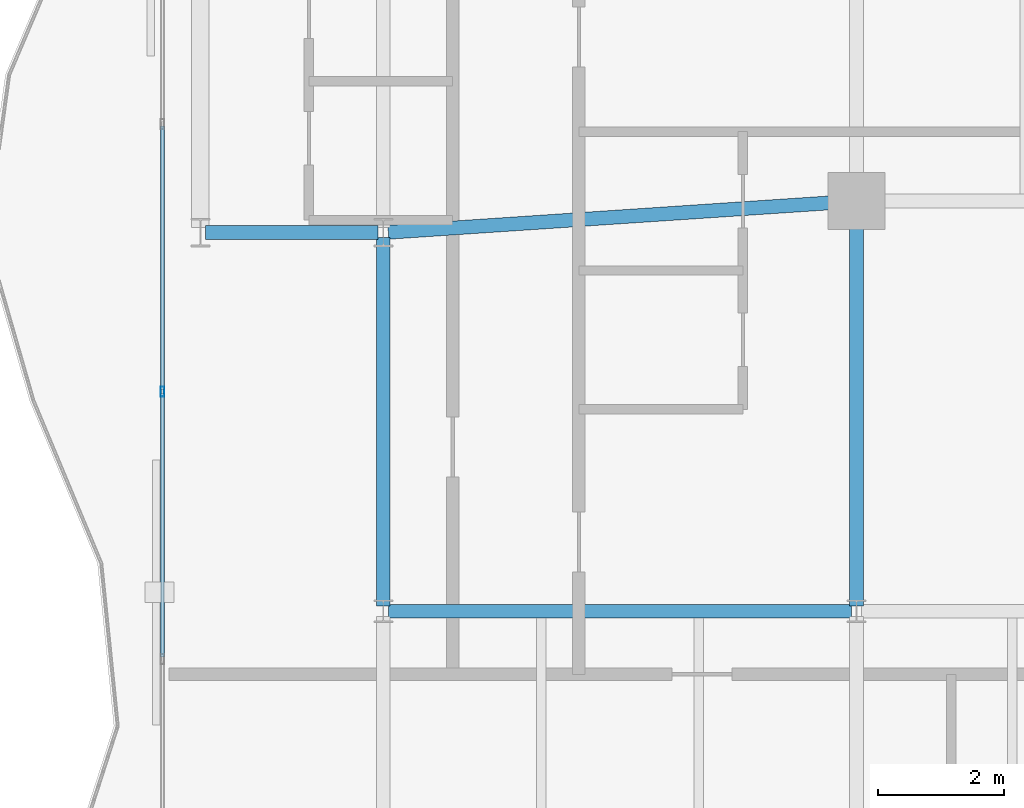
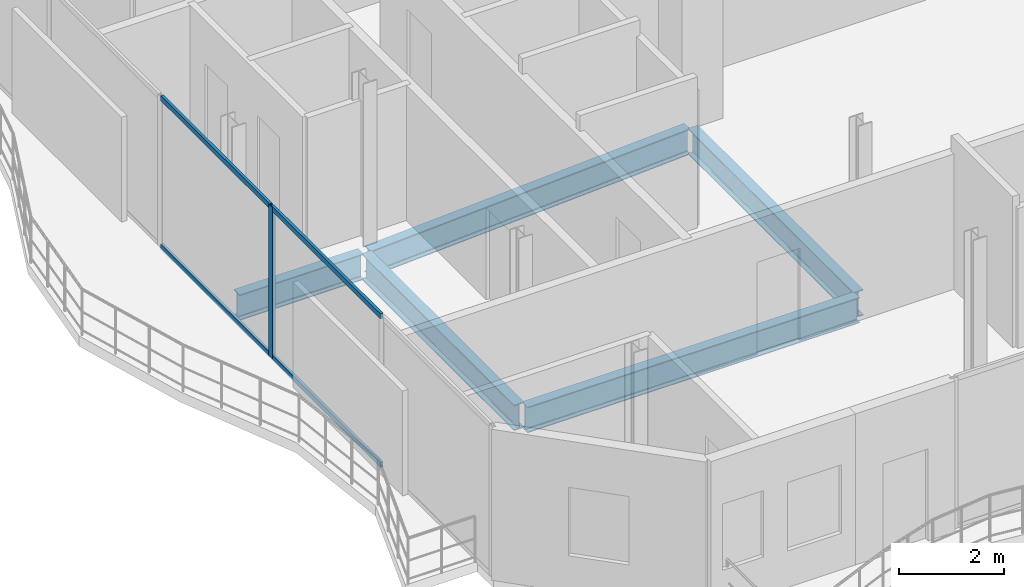
# One storey, part 6 of 23: 5 beams, 5 members, 1 element without a shape of its own.
"""IFC4 building model written with IfcOpenShell, lengths in metres."""

from ifc_helpers import new_model, si_unit, direction, frame, origin, origin_2d, place, context, subcontext, project, spatial, hollow_rectangle, i_section, extrude, material, layer, layer_set, material_profile, profile_set, type_object, element, aggregate, save


model = new_model("IFC4")

# Units and contexts
model_context = context("Model", 3, precision=1e-05, world=origin(), true_north=direction((0.0, 1.0)))
body_context = subcontext(model_context, "Body", "Model", "MODEL_VIEW")
ifc_project = project(units=[si_unit("LENGTHUNIT", "METRE"), si_unit("AREAUNIT", "SQUARE_METRE"), si_unit("VOLUMEUNIT", "CUBIC_METRE"), si_unit("PLANEANGLEUNIT", "RADIAN"), si_unit("MASSUNIT", "GRAM", prefix="KILO")], contexts=[model_context])

# Site, building, storey
site_placement = place(None, origin())
site = spatial("IfcSite", under=ifc_project, at=site_placement, CompositionType="ELEMENT")
building_placement = place(site_placement, origin())
building = spatial("IfcBuilding", under=site, at=building_placement, Name="Catumbela Crestline Tower", CompositionType="ELEMENT")
storey_placement = place(building_placement, frame((0.0, 0.0, 241.2)))
storey = spatial("IfcBuildingStorey", under=building, at=storey_placement, Name="L62", CompositionType="ELEMENT", Elevation=241.2)

# Beams
ifc_material_1 = material(Name="Structural steel S355J2", Category="steel")
ifc_material_profile_1 = material_profile(ifc_material_1, i_section(OverallWidth=0.22, OverallDepth=0.6, WebThickness=0.012, FlangeThickness=0.019, FilletRadius=0.024, at=origin_2d()), Name="IPE 600")
ifc_profile_set_1 = profile_set([ifc_material_profile_1], Name="Structural steel S355J2")
beam_type = type_object("IfcBeamType", Name="BG-IPE600", PredefinedType="BEAM", material=ifc_profile_set_1)
beam_1_placement = place(storey_placement, frame((5.68, 24.0, -0.56), z_axis=(1.0, 0.0, 0.0), x_axis=(0.0, 1.0, 0.0)))
element("IfcBeam", 1, at=beam_1_placement, inside=storey, type_object=beam_type, Name="L62 Beam BM-L62-S01", PredefinedType="BEAM", context=body_context, shape_type="SweptSolid", body=[
    extrude(i_section(OverallWidth=0.22, OverallDepth=0.6, WebThickness=0.012, FlangeThickness=0.019, FilletRadius=0.024, at=origin_2d()), origin(), (0.0, 0.0, 1.0), 2.74),
])
beam_2_placement = place(storey_placement, frame((8.5798, 24.0053, -0.56), z_axis=(0.997784796964, 0.066524423687, 0.0), x_axis=(-0.066524423687, 0.997784796964, 0.0)))
element("IfcBeam", 2, at=beam_2_placement, inside=storey, type_object=beam_type, Name="L62 Beam BM-L62-S02", PredefinedType="BEAM", context=body_context, shape_type="SweptSolid", body=[
    extrude(i_section(OverallWidth=0.22, OverallDepth=0.6, WebThickness=0.012, FlangeThickness=0.019, FilletRadius=0.024, at=origin_2d()), origin(), (0.0, 0.0, 1.0), 7.3567),
])
beam_3_placement = place(storey_placement, frame((8.58, 18.0, -0.56), z_axis=(1.0, 0.0, 0.0), x_axis=(0.0, 1.0, 0.0)))
element("IfcBeam", 3, at=beam_3_placement, inside=storey, type_object=beam_type, Name="L62 Beam BM-L62-WEW29", PredefinedType="BEAM", context=body_context, shape_type="SweptSolid", body=[
    extrude(i_section(OverallWidth=0.22, OverallDepth=0.6, WebThickness=0.012, FlangeThickness=0.019, FilletRadius=0.024, at=origin_2d()), origin(), (0.0, 0.0, 1.0), 7.34),
])
beam_4_placement = place(storey_placement, frame((8.5, 18.08, -0.56), z_axis=(0.0, 1.0, 0.0), x_axis=(-1.0, 0.0, 0.0)))
element("IfcBeam", 4, at=beam_4_placement, inside=storey, type_object=beam_type, Name="L62 Beam BM-L62-WNS32", PredefinedType="BEAM", context=body_context, shape_type="SweptSolid", body=[
    extrude(i_section(OverallWidth=0.22, OverallDepth=0.6, WebThickness=0.012, FlangeThickness=0.019, FilletRadius=0.024, at=origin_2d()), origin(), (0.0, 0.0, 1.0), 5.84),
])
beam_5_placement = place(storey_placement, frame((16.0, 18.08, -0.56), z_axis=(0.0, 1.0, 0.0), x_axis=(-1.0, 0.0, 0.0)))
element("IfcBeam", 5, at=beam_5_placement, inside=storey, type_object=beam_type, Name="L62 Beam BM-L62-WNS34", PredefinedType="BEAM", context=body_context, shape_type="SweptSolid", body=[
    extrude(i_section(OverallWidth=0.22, OverallDepth=0.6, WebThickness=0.012, FlangeThickness=0.019, FilletRadius=0.024, at=origin_2d()), origin(), (0.0, 0.0, 1.0), 6.34),
])

# Curtain wall, members
ifc_material_2 = material(Name="Aluminium alloy AW-6060-T66", Category="aluminium")
ifc_layer = layer(ifc_material_2, 0.18, Name="Aluminium alloy AW-6060-T66")
ifc_layer_set = layer_set([ifc_layer], Name="Aluminium alloy AW-6060-T66")
curtain_wall_type = type_object("IfcCurtainWallType", Name="CWU-Z4", PredefinedType="USERDEFINED", material=ifc_layer_set)
curtain_wall_placement = place(storey_placement, origin())
curtain_wall = element("IfcCurtainWall", 6, at=curtain_wall_placement, inside=storey, type_object=curtain_wall_type, Name="L62 Unitised Curtain Wall CW-L62-E9S2", ObjectType="UNITISED", PredefinedType="USERDEFINED")
ifc_material_profile_2 = material_profile(ifc_material_2, hollow_rectangle(XDim=0.06, YDim=0.16, WallThickness=0.004, at=origin_2d()), Name="ALU 160x60x4")
ifc_profile_set_2 = profile_set([ifc_material_profile_2], Name="Aluminium alloy AW-6060-T66")
member_type_1 = type_object("IfcMemberType", Name="MUL-160X60", PredefinedType="MULLION", material=ifc_profile_set_2)
member_1_placement = place(storey_placement, frame((5.0, 21.48, 0.0), z_axis=(0.0, 0.0, 1.0), x_axis=(1.0, 0.0, 0.0)))
member_1 = element("IfcMember", 7, at=member_1_placement, type_object=member_type_1, Name="CWU-Z4 mullion 4", PredefinedType="MULLION", context=body_context, shape_type="SweptSolid", body=[
    extrude(hollow_rectangle(XDim=0.06, YDim=0.16, WallThickness=0.004, at=origin_2d()), origin(), (0.0, 0.0, 1.0), 3.53),
])
ifc_material_profile_3 = material_profile(ifc_material_2, hollow_rectangle(XDim=0.06, YDim=0.12, WallThickness=0.0035, at=origin_2d()), Name="ALU 120x60x3.5")
ifc_profile_set_3 = profile_set([ifc_material_profile_3], Name="Aluminium alloy AW-6060-T66")
member_type_2 = type_object("IfcMemberType", Name="TRN-120X60", PredefinedType="USERDEFINED", material=ifc_profile_set_3)
member_2_placement = place(storey_placement, frame((5.0, 25.6875, 0.03), z_axis=(0.0, -1.0, 0.0), x_axis=(1.0, 0.0, 0.0)))
member_2 = element("IfcMember", 8, at=member_2_placement, type_object=member_type_2, Name="CWU-Z4 transom 3.1", ObjectType="TRANSOM", PredefinedType="USERDEFINED", context=body_context, shape_type="SweptSolid", body=[
    extrude(hollow_rectangle(XDim=0.06, YDim=0.12, WallThickness=0.0035, at=origin_2d()), origin(), (0.0, 0.0, 1.0), 4.175),
])
member_3_placement = place(storey_placement, frame((5.0, 25.6875, 3.5), z_axis=(0.0, -1.0, 0.0), x_axis=(1.0, 0.0, 0.0)))
member_3 = element("IfcMember", 9, at=member_3_placement, type_object=member_type_2, Name="CWU-Z4 transom 3.2", ObjectType="TRANSOM", PredefinedType="USERDEFINED", context=body_context, shape_type="SweptSolid", body=[
    extrude(hollow_rectangle(XDim=0.06, YDim=0.12, WallThickness=0.0035, at=origin_2d()), origin(), (0.0, 0.0, 1.0), 4.175),
])
member_4_placement = place(storey_placement, frame((5.0, 21.4475, 0.03), z_axis=(0.0, -1.0, 0.0), x_axis=(1.0, 0.0, 0.0)))
member_4 = element("IfcMember", 10, at=member_4_placement, type_object=member_type_2, Name="CWU-Z4 transom 4.1", ObjectType="TRANSOM", PredefinedType="USERDEFINED", context=body_context, shape_type="SweptSolid", body=[
    extrude(hollow_rectangle(XDim=0.06, YDim=0.12, WallThickness=0.0035, at=origin_2d()), origin(), (0.0, 0.0, 1.0), 4.175),
])
member_5_placement = place(storey_placement, frame((5.0, 21.4475, 3.5), z_axis=(0.0, -1.0, 0.0), x_axis=(1.0, 0.0, 0.0)))
member_5 = element("IfcMember", 11, at=member_5_placement, type_object=member_type_2, Name="CWU-Z4 transom 4.2", ObjectType="TRANSOM", PredefinedType="USERDEFINED", context=body_context, shape_type="SweptSolid", body=[
    extrude(hollow_rectangle(XDim=0.06, YDim=0.12, WallThickness=0.0035, at=origin_2d()), origin(), (0.0, 0.0, 1.0), 4.175),
])
aggregate(curtain_wall, [member_1, member_2, member_3, member_4, member_5])

save(model, "model.ifc")
